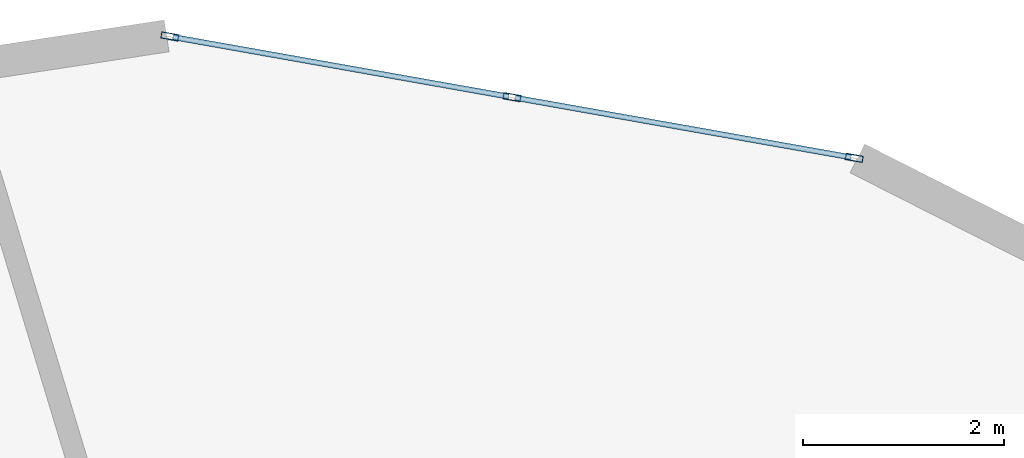
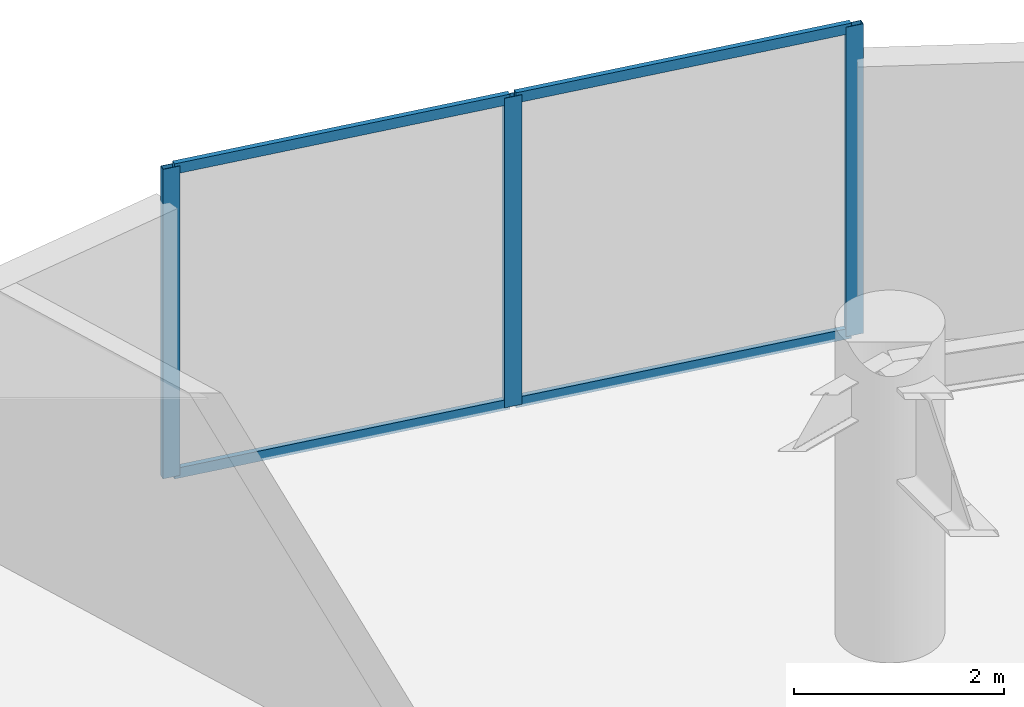
# One storey, part 14 of 22: 7 members, 1 element without a shape of its own.
"""IFC4 building model written with IfcOpenShell, lengths in metres."""

from ifc_helpers import new_model, si_unit, direction, frame, origin, origin_2d, place, context, subcontext, project, spatial, hollow_rectangle, extrude, source, transform, mapped, material, layer, layer_set, material_profile, profile_set, type_object, element, aggregate, save


model = new_model("IFC4")

# Units and contexts
model_context = context("Model", 3, precision=1e-05, world=origin(), true_north=direction((0.0, 1.0)))
body_context = subcontext(model_context, "Body", "Model", "MODEL_VIEW")
ifc_project = project(units=[si_unit("LENGTHUNIT", "METRE"), si_unit("AREAUNIT", "SQUARE_METRE"), si_unit("VOLUMEUNIT", "CUBIC_METRE"), si_unit("PLANEANGLEUNIT", "RADIAN"), si_unit("MASSUNIT", "GRAM", prefix="KILO")], contexts=[model_context])

# Site, building, storey
site_placement = place(None, origin())
site = spatial("IfcSite", under=ifc_project, at=site_placement, CompositionType="ELEMENT")
building_placement = place(site_placement, origin())
building = spatial("IfcBuilding", under=site, at=building_placement, Name="Solvirekh Grand Hotel", CompositionType="ELEMENT")
storey_placement = place(building_placement, frame((0.0, 0.0, 160.199951171875)))
storey = spatial("IfcBuildingStorey", under=building, at=storey_placement, Name="L41", CompositionType="ELEMENT", Elevation=160.199951171875)

# Curtain wall, members
ifc_material = material(Name="Anodized Bronze Aluminium 6063-T6", Category="aluminium")
ifc_layer = layer(ifc_material, 0.175048828125)
ifc_layer_set = layer_set([ifc_layer], Name="Anodized Bronze Aluminium 6063-T6")
curtain_wall_type = type_object("IfcCurtainWallType", Name="CW_Sys3_MidZoneFlushBronzeCW", PredefinedType="NOTDEFINED", material=ifc_layer_set)
curtain_wall_placement = place(storey_placement, origin())
curtain_wall = element("IfcCurtainWall", 1, at=curtain_wall_placement, inside=storey, type_object=curtain_wall_type, Name="L41 unitised bronze-glass curtain wall CW-L41-C08", PredefinedType="NOTDEFINED")
ifc_material_profile_1 = material_profile(ifc_material, hollow_rectangle(XDim=0.054931640625, YDim=0.1201171875, WallThickness=0.00390625, at=origin_2d()), Name="ALU RHS 120X55X4")
ifc_profile_set_1 = profile_set([ifc_material_profile_1], Name="Anodized Bronze Aluminium 6063-T6")
member_type_1 = type_object("IfcMemberType", Name="CWTransom_Sys3", PredefinedType="USERDEFINED", material=ifc_profile_set_1)
shared_shape_1 = source(origin(), body_context, "Body", "SweptSolid", [
    extrude(hollow_rectangle(XDim=0.054931640625, YDim=0.1201171875, WallThickness=0.00390625, at=origin_2d()), origin(), (0.0, 0.0, 1.0), 3.397216796875),
])
member_1_placement = place(storey_placement, frame((2.14404296875, 21.46533203125, 0.027587890625), z_axis=(-0.984621072866, 0.174703585734, 0.0), x_axis=(-0.174703585734, -0.984621072866, 0.0)))
member_1 = element("IfcMember", 2, at=member_1_placement, type_object=member_type_1, Name="U03 transom 1.1", ObjectType="TRANSOM", PredefinedType="USERDEFINED", context=body_context, shape_type="MappedRepresentation", body=[
    mapped(shared_shape_1, transform((0.0, 0.0, 0.0), x_axis=(1.0, 0.0, 0.0), y_axis=(0.0, 1.0, 0.0), z_axis=(0.0, 0.0, 1.0), scale=1.0)),
])
member_2_placement = place(storey_placement, frame((2.14404296875, 21.46533203125, 3.572509765625), z_axis=(-0.984621072866, 0.174703585734, 0.0), x_axis=(-0.174703585734, -0.984621072866, 0.0)))
member_2 = element("IfcMember", 3, at=member_2_placement, type_object=member_type_1, Name="U03 transom 1.2", ObjectType="TRANSOM", PredefinedType="USERDEFINED", context=body_context, shape_type="MappedRepresentation", body=[
    mapped(shared_shape_1, transform((0.0, 0.0, 0.0), x_axis=(1.0, 0.0, 0.0), y_axis=(0.0, 1.0, 0.0), z_axis=(0.0, 0.0, 1.0), scale=1.0)),
])
ifc_material_profile_2 = material_profile(ifc_material, hollow_rectangle(XDim=0.06494140625, YDim=0.175048828125, WallThickness=0.0048828125, at=origin_2d()), Name="ALU RHS 175X65X5")
ifc_profile_set_2 = profile_set([ifc_material_profile_2], Name="Anodized Bronze Aluminium 6063-T6")
member_type_2 = type_object("IfcMemberType", Name="CWMullion_Sys3", PredefinedType="MULLION", material=ifc_profile_set_2)
shared_shape_2 = source(origin(), body_context, "Body", "SweptSolid", [
    extrude(hollow_rectangle(XDim=0.06494140625, YDim=0.175048828125, WallThickness=0.0048828125, at=origin_2d()), origin(), (0.0, 0.0, 1.0), 3.60009765625),
])
member_3_placement = place(storey_placement, frame((2.176025390625, 21.459716796875, 0.0), z_axis=(0.0, 0.0, 1.0), x_axis=(-0.174691224616, -0.984623266048, 0.0)))
member_3 = element("IfcMember", 4, at=member_3_placement, type_object=member_type_2, Name="U03 mullion 1", PredefinedType="MULLION", context=body_context, shape_type="MappedRepresentation", body=[
    mapped(shared_shape_2, transform((0.0, 0.0, 0.0), x_axis=(1.0, 0.0, 0.0), y_axis=(0.0, 1.0, 0.0), z_axis=(0.0, 0.0, 1.0), scale=1.0)),
])
member_4_placement = place(storey_placement, frame((-1.23291015625, 22.064453125, 0.0), z_axis=(0.0, 0.0, 1.0), x_axis=(-0.174691224616, -0.984623266048, 0.0)))
member_4 = element("IfcMember", 5, at=member_4_placement, type_object=member_type_2, Name="U03 mullion 2", PredefinedType="MULLION", context=body_context, shape_type="MappedRepresentation", body=[
    mapped(shared_shape_2, transform((0.0, 0.0, 0.0), x_axis=(1.0, 0.0, 0.0), y_axis=(0.0, 1.0, 0.0), z_axis=(0.0, 0.0, 1.0), scale=1.0)),
])
member_5_placement = place(storey_placement, frame((-4.64208984375, 22.66943359375, 0.0), z_axis=(0.0, 0.0, 1.0), x_axis=(-0.174691224616, -0.984623266048, 0.0)))
member_5 = element("IfcMember", 6, at=member_5_placement, type_object=member_type_2, Name="U03 mullion 3", PredefinedType="MULLION", context=body_context, shape_type="MappedRepresentation", body=[
    mapped(shared_shape_2, transform((0.0, 0.0, 0.0), x_axis=(1.0, 0.0, 0.0), y_axis=(0.0, 1.0, 0.0), z_axis=(0.0, 0.0, 1.0), scale=1.0)),
])
shared_shape_3 = source(origin(), body_context, "Body", "SweptSolid", [
    extrude(hollow_rectangle(XDim=0.054931640625, YDim=0.1201171875, WallThickness=0.00390625, at=origin_2d()), origin(), (0.0, 0.0, 1.0), 3.3974609375),
])
member_6_placement = place(storey_placement, frame((-1.264892578125, 22.070068359375, 0.027587890625), z_axis=(-0.984623266047, 0.174691224621, 0.0), x_axis=(-0.174691224621, -0.984623266047, 0.0)))
member_6 = element("IfcMember", 7, at=member_6_placement, type_object=member_type_1, Name="U03 transom 2.1", ObjectType="TRANSOM", PredefinedType="USERDEFINED", context=body_context, shape_type="MappedRepresentation", body=[
    mapped(shared_shape_3, transform((0.0, 0.0, 0.0), x_axis=(1.0, 0.0, 0.0), y_axis=(0.0, 1.0, 0.0), z_axis=(0.0, 0.0, 1.0), scale=1.0)),
])
member_7_placement = place(storey_placement, frame((-1.264892578125, 22.070068359375, 3.572509765625), z_axis=(-0.984623266047, 0.174691224621, 0.0), x_axis=(-0.174691224621, -0.984623266047, 0.0)))
member_7 = element("IfcMember", 8, at=member_7_placement, type_object=member_type_1, Name="U03 transom 2.2", ObjectType="TRANSOM", PredefinedType="USERDEFINED", context=body_context, shape_type="MappedRepresentation", body=[
    mapped(shared_shape_3, transform((0.0, 0.0, 0.0), x_axis=(1.0, 0.0, 0.0), y_axis=(0.0, 1.0, 0.0), z_axis=(0.0, 0.0, 1.0), scale=1.0)),
])
aggregate(curtain_wall, [member_3, member_4, member_5, member_1, member_2, member_6, member_7])

save(model, "model.ifc")
